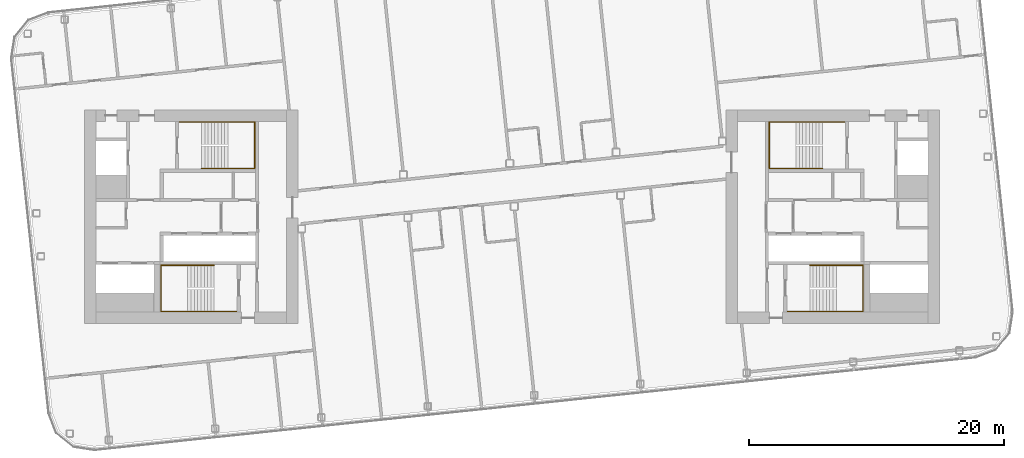
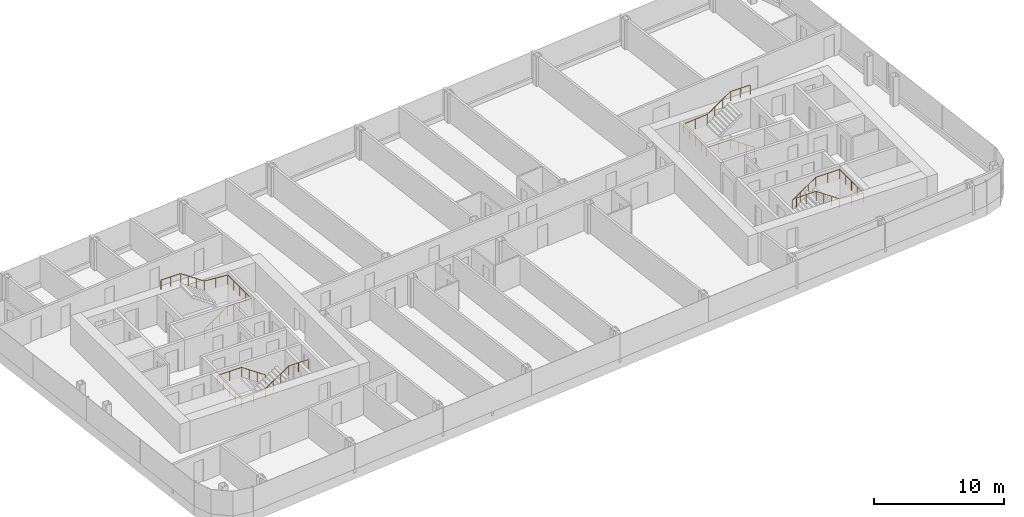
# One storey, part 27 of 27: 4 railings.
"""IFC4 building model written with IfcOpenShell, lengths in metres."""

from ifc_helpers import new_model, si_unit, direction, frame, origin, origin_2d, place, context, subcontext, project, spatial, circle, extrude, material, type_object, element, save


model = new_model("IFC4")

# Units and contexts
model_context = context("Model", 3, precision=1e-05, world=origin(), true_north=direction((0.0, 1.0)))
body_context = subcontext(model_context, "Body", "Model", "MODEL_VIEW")
ifc_project = project(units=[si_unit("LENGTHUNIT", "METRE"), si_unit("AREAUNIT", "SQUARE_METRE"), si_unit("VOLUMEUNIT", "CUBIC_METRE"), si_unit("PLANEANGLEUNIT", "RADIAN"), si_unit("MASSUNIT", "GRAM", prefix="KILO")], contexts=[model_context])

# Site, building, storey
site_placement = place(None, origin())
site = spatial("IfcSite", under=ifc_project, at=site_placement, CompositionType="ELEMENT")
building_placement = place(site_placement, origin())
building = spatial("IfcBuilding", under=site, at=building_placement, Name="Hakoniwa Tower and Hamabe Station Hall", CompositionType="ELEMENT")
storey_placement = place(building_placement, frame((0.0, 0.0, 242.199951171875)))
storey = spatial("IfcBuildingStorey", under=building, at=storey_placement, Name="L68", CompositionType="ELEMENT", Elevation=242.199951171875)

# Railings
ifc_material = material(Name="Stainless steel SUS304", Category="steel")
railing_type = type_object("IfcRailingType", Name="STAIR HANDRAIL 900", PredefinedType="HANDRAIL", material=ifc_material)
railing_1_placement = place(storey_placement, frame((-24.39990234375, 3.81005859375, 0.177734375)))
element("IfcRailing", 1, at=railing_1_placement, inside=storey, type_object=railing_type, Name="Handrail ST-1 L68 1", PredefinedType="HANDRAIL", context=body_context, shape_type="SweptSolid", body=[
    extrude(circle(Radius=0.02392578125, at=origin_2d()), frame((0.0, 0.0, 0.8759765625), z_axis=(0.825433201882, 0.0, 0.564499804456), x_axis=(0.0, 1.0, 0.0)), (0.0, 0.0, 1.0), 2.519775390625),
    extrude(circle(Radius=0.02392578125, at=origin_2d()), frame((2.079833984375, 0.0, 2.29833984375), z_axis=(1.0, 0.0, 0.0), x_axis=(0.0, 1.0, 0.0)), (0.0, 0.0, 1.0), 2.110107421875),
    extrude(circle(Radius=0.02392578125, at=origin_2d()), frame((4.18994140625, 0.0, 2.29833984375), z_axis=(0.0, 1.0, 0.0), x_axis=(-1.0, 0.0, 0.0)), (0.0, 0.0, 1.0), 3.6298828125),
    extrude(circle(Radius=0.02392578125, at=origin_2d()), frame((4.18994140625, 3.6298828125, 2.29833984375), z_axis=(-0.996471417081, 0.0, 0.083932800143), x_axis=(0.0, -1.0, 0.0)), (0.0, 0.0, 1.0), 2.11767578125),
    extrude(circle(Radius=0.02392578125, at=origin_2d()), frame((2.079833984375, 3.6298828125, 2.47607421875), z_axis=(-0.825478349766, 0.0, 0.564433781827), x_axis=(0.0, -1.0, 0.0)), (0.0, 0.0, 1.0), 2.51953125),
    extrude(circle(Radius=0.02392578125, at=origin_2d()), frame((0.0, 3.6298828125, 3.89794921875), z_axis=(-1.0, 0.0, 0.0), x_axis=(0.0, -1.0, 0.0)), (0.0, 0.0, 1.0), 1.739990234375),
    extrude(circle(Radius=0.02099609375, at=origin_2d()), origin(), (0.0, 0.0, 1.0), 0.851806640625),
    extrude(circle(Radius=0.02099609375, at=origin_2d()), frame((0.693359375, 0.0, 0.47412109375)), (0.0, 0.0, 1.0), 0.851806640625),
    extrude(circle(Radius=0.02099609375, at=origin_2d()), frame((1.386474609375, 0.0, 0.9482421875)), (0.0, 0.0, 1.0), 0.851806640625),
    extrude(circle(Radius=0.02099609375, at=origin_2d()), frame((2.079833984375, 0.0, 1.42236328125)), (0.0, 0.0, 1.0), 0.851806640625),
    extrude(circle(Radius=0.02099609375, at=origin_2d()), frame((3.134765625, 0.0, 1.42236328125)), (0.0, 0.0, 1.0), 0.851806640625),
    extrude(circle(Radius=0.02099609375, at=origin_2d()), frame((4.18994140625, 0.0, 1.42236328125)), (0.0, 0.0, 1.0), 0.851806640625),
    extrude(circle(Radius=0.02099609375, at=origin_2d()), frame((4.18994140625, 0.907470703125, 1.42236328125)), (0.0, 0.0, 1.0), 0.851806640625),
    extrude(circle(Radius=0.02099609375, at=origin_2d()), frame((4.18994140625, 1.81494140625, 1.42236328125)), (0.0, 0.0, 1.0), 0.851806640625),
    extrude(circle(Radius=0.02099609375, at=origin_2d()), frame((4.18994140625, 2.722412109375, 1.42236328125)), (0.0, 0.0, 1.0), 0.851806640625),
    extrude(circle(Radius=0.02099609375, at=origin_2d()), frame((4.18994140625, 3.6298828125, 1.42236328125)), (0.0, 0.0, 1.0), 0.851806640625),
    extrude(circle(Radius=0.02099609375, at=origin_2d()), frame((3.134765625, 3.6298828125, 1.51123046875)), (0.0, 0.0, 1.0), 0.851806640625),
    extrude(circle(Radius=0.02099609375, at=origin_2d()), frame((2.079833984375, 3.6298828125, 1.60009765625)), (0.0, 0.0, 1.0), 0.851806640625),
    extrude(circle(Radius=0.02099609375, at=origin_2d()), frame((1.386474609375, 3.6298828125, 2.07421875)), (0.0, 0.0, 1.0), 0.851806640625),
    extrude(circle(Radius=0.02099609375, at=origin_2d()), frame((0.693359375, 3.6298828125, 2.548095703125)), (0.0, 0.0, 1.0), 0.851806640625),
    extrude(circle(Radius=0.02099609375, at=origin_2d()), frame((0.0, 3.6298828125, 3.022216796875)), (0.0, 0.0, 1.0), 0.851806640625),
    extrude(circle(Radius=0.02099609375, at=origin_2d()), frame((-0.8701171875, 3.6298828125, 3.022216796875)), (0.0, 0.0, 1.0), 0.851806640625),
    extrude(circle(Radius=0.02099609375, at=origin_2d()), frame((-1.739990234375, 3.6298828125, 3.022216796875)), (0.0, 0.0, 1.0), 0.851806640625),
])
railing_2_placement = place(storey_placement, frame((-23.39990234375, -3.81005859375, 0.177734375)))
element("IfcRailing", 2, at=railing_2_placement, inside=storey, type_object=railing_type, Name="Handrail ST-2 L68 1", PredefinedType="HANDRAIL", context=body_context, shape_type="SweptSolid", body=[
    extrude(circle(Radius=0.02392578125, at=origin_2d()), frame((0.0, 0.0, 0.8759765625), z_axis=(-0.825464074169, 0.0, 0.564454659168), x_axis=(0.0, -1.0, 0.0)), (0.0, 0.0, 1.0), 2.519775390625),
    extrude(circle(Radius=0.02392578125, at=origin_2d()), frame((-2.080078125, 0.0, 2.29833984375), z_axis=(-1.0, 0.0, 0.0), x_axis=(0.0, -1.0, 0.0)), (0.0, 0.0, 1.0), 2.110107421875),
    extrude(circle(Radius=0.02392578125, at=origin_2d()), frame((-4.190185546875, 0.0, 2.29833984375), z_axis=(0.0, -1.0, 0.0), x_axis=(1.0, 0.0, 0.0)), (0.0, 0.0, 1.0), 3.6298828125),
    extrude(circle(Radius=0.02392578125, at=origin_2d()), frame((-4.190185546875, -3.6298828125, 2.29833984375), z_axis=(0.996471417081, 0.0, 0.083932800143), x_axis=(0.0, 1.0, 0.0)), (0.0, 0.0, 1.0), 2.11767578125),
    extrude(circle(Radius=0.02392578125, at=origin_2d()), frame((-2.080078125, -3.6298828125, 2.47607421875), z_axis=(0.82550921652, 0.0, 0.564388636881), x_axis=(0.0, 1.0, 0.0)), (0.0, 0.0, 1.0), 2.519775390625),
    extrude(circle(Radius=0.02392578125, at=origin_2d()), frame((0.0, -3.6298828125, 3.89794921875), z_axis=(1.0, 0.0, 0.0), x_axis=(0.0, 1.0, 0.0)), (0.0, 0.0, 1.0), 1.739990234375),
    extrude(circle(Radius=0.02099609375, at=origin_2d()), origin(), (0.0, 0.0, 1.0), 0.851806640625),
    extrude(circle(Radius=0.02099609375, at=origin_2d()), frame((-0.693359375, 0.0, 0.47412109375)), (0.0, 0.0, 1.0), 0.851806640625),
    extrude(circle(Radius=0.02099609375, at=origin_2d()), frame((-1.38671875, 0.0, 0.9482421875)), (0.0, 0.0, 1.0), 0.851806640625),
    extrude(circle(Radius=0.02099609375, at=origin_2d()), frame((-2.080078125, 0.0, 1.42236328125)), (0.0, 0.0, 1.0), 0.851806640625),
    extrude(circle(Radius=0.02099609375, at=origin_2d()), frame((-3.13525390625, 0.0, 1.42236328125)), (0.0, 0.0, 1.0), 0.851806640625),
    extrude(circle(Radius=0.02099609375, at=origin_2d()), frame((-4.190185546875, 0.0, 1.42236328125)), (0.0, 0.0, 1.0), 0.851806640625),
    extrude(circle(Radius=0.02099609375, at=origin_2d()), frame((-4.190185546875, -0.907470703125, 1.42236328125)), (0.0, 0.0, 1.0), 0.851806640625),
    extrude(circle(Radius=0.02099609375, at=origin_2d()), frame((-4.190185546875, -1.81494140625, 1.42236328125)), (0.0, 0.0, 1.0), 0.851806640625),
    extrude(circle(Radius=0.02099609375, at=origin_2d()), frame((-4.190185546875, -2.722412109375, 1.42236328125)), (0.0, 0.0, 1.0), 0.851806640625),
    extrude(circle(Radius=0.02099609375, at=origin_2d()), frame((-4.190185546875, -3.6298828125, 1.42236328125)), (0.0, 0.0, 1.0), 0.851806640625),
    extrude(circle(Radius=0.02099609375, at=origin_2d()), frame((-3.13525390625, -3.6298828125, 1.51123046875)), (0.0, 0.0, 1.0), 0.851806640625),
    extrude(circle(Radius=0.02099609375, at=origin_2d()), frame((-2.080078125, -3.6298828125, 1.60009765625)), (0.0, 0.0, 1.0), 0.851806640625),
    extrude(circle(Radius=0.02099609375, at=origin_2d()), frame((-1.38671875, -3.6298828125, 2.07421875)), (0.0, 0.0, 1.0), 0.851806640625),
    extrude(circle(Radius=0.02099609375, at=origin_2d()), frame((-0.693359375, -3.6298828125, 2.548095703125)), (0.0, 0.0, 1.0), 0.851806640625),
    extrude(circle(Radius=0.02099609375, at=origin_2d()), frame((0.0, -3.6298828125, 3.022216796875)), (0.0, 0.0, 1.0), 0.851806640625),
    extrude(circle(Radius=0.02099609375, at=origin_2d()), frame((0.8701171875, -3.6298828125, 3.022216796875)), (0.0, 0.0, 1.0), 0.851806640625),
    extrude(circle(Radius=0.02099609375, at=origin_2d()), frame((1.739990234375, -3.6298828125, 3.022216796875)), (0.0, 0.0, 1.0), 0.851806640625),
])
railing_3_placement = place(storey_placement, frame((24.39990234375, 3.81005859375, 0.177734375)))
element("IfcRailing", 3, at=railing_3_placement, inside=storey, type_object=railing_type, Name="Handrail ST-3 L68 1", PredefinedType="HANDRAIL", context=body_context, shape_type="SweptSolid", body=[
    extrude(circle(Radius=0.02392578125, at=origin_2d()), frame((0.0, 0.0, 0.8759765625), z_axis=(-0.825433201882, 0.0, 0.564499804456), x_axis=(0.0, -1.0, 0.0)), (0.0, 0.0, 1.0), 2.519775390625),
    extrude(circle(Radius=0.02392578125, at=origin_2d()), frame((-2.079833984375, 0.0, 2.29833984375), z_axis=(-1.0, 0.0, 0.0), x_axis=(0.0, -1.0, 0.0)), (0.0, 0.0, 1.0), 2.110107421875),
    extrude(circle(Radius=0.02392578125, at=origin_2d()), frame((-4.18994140625, 0.0, 2.29833984375), z_axis=(0.0, 1.0, 0.0), x_axis=(-1.0, 0.0, 0.0)), (0.0, 0.0, 1.0), 3.6298828125),
    extrude(circle(Radius=0.02392578125, at=origin_2d()), frame((-4.18994140625, 3.6298828125, 2.29833984375), z_axis=(0.996471417081, 0.0, 0.083932800143), x_axis=(0.0, 1.0, 0.0)), (0.0, 0.0, 1.0), 2.11767578125),
    extrude(circle(Radius=0.02392578125, at=origin_2d()), frame((-2.079833984375, 3.6298828125, 2.47607421875), z_axis=(0.825478349766, 0.0, 0.564433781827), x_axis=(0.0, 1.0, 0.0)), (0.0, 0.0, 1.0), 2.51953125),
    extrude(circle(Radius=0.02392578125, at=origin_2d()), frame((0.0, 3.6298828125, 3.89794921875), z_axis=(1.0, 0.0, 0.0), x_axis=(0.0, 1.0, 0.0)), (0.0, 0.0, 1.0), 1.739990234375),
    extrude(circle(Radius=0.02099609375, at=origin_2d()), origin(), (0.0, 0.0, 1.0), 0.851806640625),
    extrude(circle(Radius=0.02099609375, at=origin_2d()), frame((-0.693359375, 0.0, 0.47412109375)), (0.0, 0.0, 1.0), 0.851806640625),
    extrude(circle(Radius=0.02099609375, at=origin_2d()), frame((-1.386474609375, 0.0, 0.9482421875)), (0.0, 0.0, 1.0), 0.851806640625),
    extrude(circle(Radius=0.02099609375, at=origin_2d()), frame((-2.079833984375, 0.0, 1.42236328125)), (0.0, 0.0, 1.0), 0.851806640625),
    extrude(circle(Radius=0.02099609375, at=origin_2d()), frame((-3.134765625, 0.0, 1.42236328125)), (0.0, 0.0, 1.0), 0.851806640625),
    extrude(circle(Radius=0.02099609375, at=origin_2d()), frame((-4.18994140625, 0.0, 1.42236328125)), (0.0, 0.0, 1.0), 0.851806640625),
    extrude(circle(Radius=0.02099609375, at=origin_2d()), frame((-4.18994140625, 0.907470703125, 1.42236328125)), (0.0, 0.0, 1.0), 0.851806640625),
    extrude(circle(Radius=0.02099609375, at=origin_2d()), frame((-4.18994140625, 1.81494140625, 1.42236328125)), (0.0, 0.0, 1.0), 0.851806640625),
    extrude(circle(Radius=0.02099609375, at=origin_2d()), frame((-4.18994140625, 2.722412109375, 1.42236328125)), (0.0, 0.0, 1.0), 0.851806640625),
    extrude(circle(Radius=0.02099609375, at=origin_2d()), frame((-4.18994140625, 3.6298828125, 1.42236328125)), (0.0, 0.0, 1.0), 0.851806640625),
    extrude(circle(Radius=0.02099609375, at=origin_2d()), frame((-3.134765625, 3.6298828125, 1.51123046875)), (0.0, 0.0, 1.0), 0.851806640625),
    extrude(circle(Radius=0.02099609375, at=origin_2d()), frame((-2.079833984375, 3.6298828125, 1.60009765625)), (0.0, 0.0, 1.0), 0.851806640625),
    extrude(circle(Radius=0.02099609375, at=origin_2d()), frame((-1.386474609375, 3.6298828125, 2.07421875)), (0.0, 0.0, 1.0), 0.851806640625),
    extrude(circle(Radius=0.02099609375, at=origin_2d()), frame((-0.693359375, 3.6298828125, 2.548095703125)), (0.0, 0.0, 1.0), 0.851806640625),
    extrude(circle(Radius=0.02099609375, at=origin_2d()), frame((0.0, 3.6298828125, 3.022216796875)), (0.0, 0.0, 1.0), 0.851806640625),
    extrude(circle(Radius=0.02099609375, at=origin_2d()), frame((0.8701171875, 3.6298828125, 3.022216796875)), (0.0, 0.0, 1.0), 0.851806640625),
    extrude(circle(Radius=0.02099609375, at=origin_2d()), frame((1.739990234375, 3.6298828125, 3.022216796875)), (0.0, 0.0, 1.0), 0.851806640625),
])
railing_4_placement = place(storey_placement, frame((23.39990234375, -3.81005859375, 0.177734375)))
element("IfcRailing", 4, at=railing_4_placement, inside=storey, type_object=railing_type, Name="Handrail ST-4 L68 1", PredefinedType="HANDRAIL", context=body_context, shape_type="SweptSolid", body=[
    extrude(circle(Radius=0.02392578125, at=origin_2d()), frame((0.0, 0.0, 0.8759765625), z_axis=(0.825464074169, 0.0, 0.564454659168), x_axis=(0.0, 1.0, 0.0)), (0.0, 0.0, 1.0), 2.519775390625),
    extrude(circle(Radius=0.02392578125, at=origin_2d()), frame((2.080078125, 0.0, 2.29833984375), z_axis=(1.0, 0.0, 0.0), x_axis=(0.0, 1.0, 0.0)), (0.0, 0.0, 1.0), 2.110107421875),
    extrude(circle(Radius=0.02392578125, at=origin_2d()), frame((4.190185546875, 0.0, 2.29833984375), z_axis=(0.0, -1.0, 0.0), x_axis=(1.0, 0.0, 0.0)), (0.0, 0.0, 1.0), 3.6298828125),
    extrude(circle(Radius=0.02392578125, at=origin_2d()), frame((4.190185546875, -3.6298828125, 2.29833984375), z_axis=(-0.996471417081, 0.0, 0.083932800143), x_axis=(0.0, -1.0, 0.0)), (0.0, 0.0, 1.0), 2.11767578125),
    extrude(circle(Radius=0.02392578125, at=origin_2d()), frame((2.080078125, -3.6298828125, 2.47607421875), z_axis=(-0.82550921652, 0.0, 0.564388636881), x_axis=(0.0, -1.0, 0.0)), (0.0, 0.0, 1.0), 2.519775390625),
    extrude(circle(Radius=0.02392578125, at=origin_2d()), frame((0.0, -3.6298828125, 3.89794921875), z_axis=(-1.0, 0.0, 0.0), x_axis=(0.0, -1.0, 0.0)), (0.0, 0.0, 1.0), 1.739990234375),
    extrude(circle(Radius=0.02099609375, at=origin_2d()), origin(), (0.0, 0.0, 1.0), 0.851806640625),
    extrude(circle(Radius=0.02099609375, at=origin_2d()), frame((0.693359375, 0.0, 0.47412109375)), (0.0, 0.0, 1.0), 0.851806640625),
    extrude(circle(Radius=0.02099609375, at=origin_2d()), frame((1.38671875, 0.0, 0.9482421875)), (0.0, 0.0, 1.0), 0.851806640625),
    extrude(circle(Radius=0.02099609375, at=origin_2d()), frame((2.080078125, 0.0, 1.42236328125)), (0.0, 0.0, 1.0), 0.851806640625),
    extrude(circle(Radius=0.02099609375, at=origin_2d()), frame((3.13525390625, 0.0, 1.42236328125)), (0.0, 0.0, 1.0), 0.851806640625),
    extrude(circle(Radius=0.02099609375, at=origin_2d()), frame((4.190185546875, 0.0, 1.42236328125)), (0.0, 0.0, 1.0), 0.851806640625),
    extrude(circle(Radius=0.02099609375, at=origin_2d()), frame((4.190185546875, -0.907470703125, 1.42236328125)), (0.0, 0.0, 1.0), 0.851806640625),
    extrude(circle(Radius=0.02099609375, at=origin_2d()), frame((4.190185546875, -1.81494140625, 1.42236328125)), (0.0, 0.0, 1.0), 0.851806640625),
    extrude(circle(Radius=0.02099609375, at=origin_2d()), frame((4.190185546875, -2.722412109375, 1.42236328125)), (0.0, 0.0, 1.0), 0.851806640625),
    extrude(circle(Radius=0.02099609375, at=origin_2d()), frame((4.190185546875, -3.6298828125, 1.42236328125)), (0.0, 0.0, 1.0), 0.851806640625),
    extrude(circle(Radius=0.02099609375, at=origin_2d()), frame((3.13525390625, -3.6298828125, 1.51123046875)), (0.0, 0.0, 1.0), 0.851806640625),
    extrude(circle(Radius=0.02099609375, at=origin_2d()), frame((2.080078125, -3.6298828125, 1.60009765625)), (0.0, 0.0, 1.0), 0.851806640625),
    extrude(circle(Radius=0.02099609375, at=origin_2d()), frame((1.38671875, -3.6298828125, 2.07421875)), (0.0, 0.0, 1.0), 0.851806640625),
    extrude(circle(Radius=0.02099609375, at=origin_2d()), frame((0.693359375, -3.6298828125, 2.548095703125)), (0.0, 0.0, 1.0), 0.851806640625),
    extrude(circle(Radius=0.02099609375, at=origin_2d()), frame((0.0, -3.6298828125, 3.022216796875)), (0.0, 0.0, 1.0), 0.851806640625),
    extrude(circle(Radius=0.02099609375, at=origin_2d()), frame((-0.8701171875, -3.6298828125, 3.022216796875)), (0.0, 0.0, 1.0), 0.851806640625),
    extrude(circle(Radius=0.02099609375, at=origin_2d()), frame((-1.739990234375, -3.6298828125, 3.022216796875)), (0.0, 0.0, 1.0), 0.851806640625),
])

save(model, "model.ifc")
